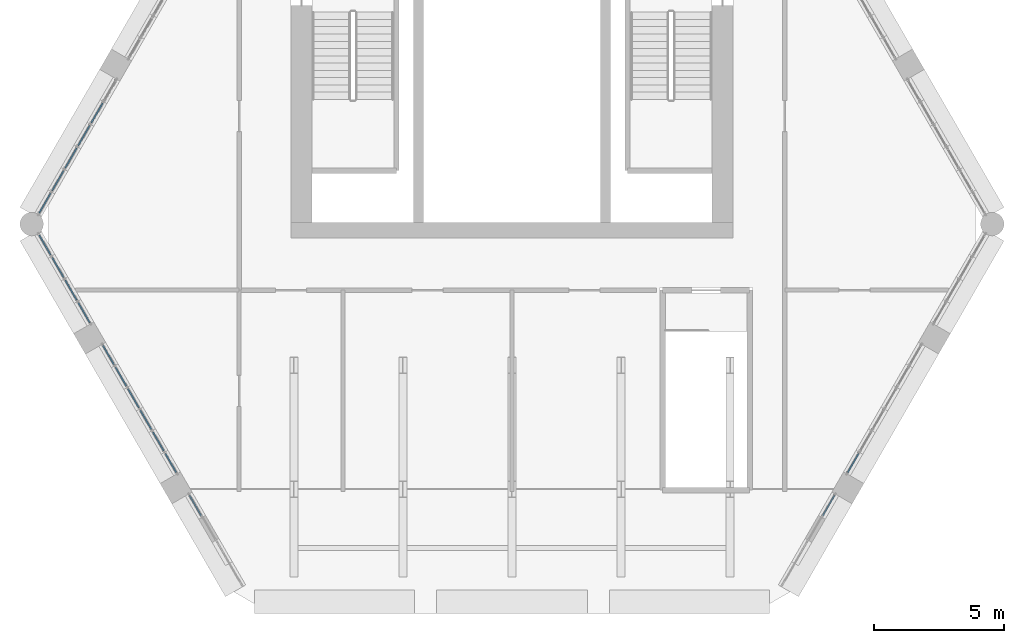
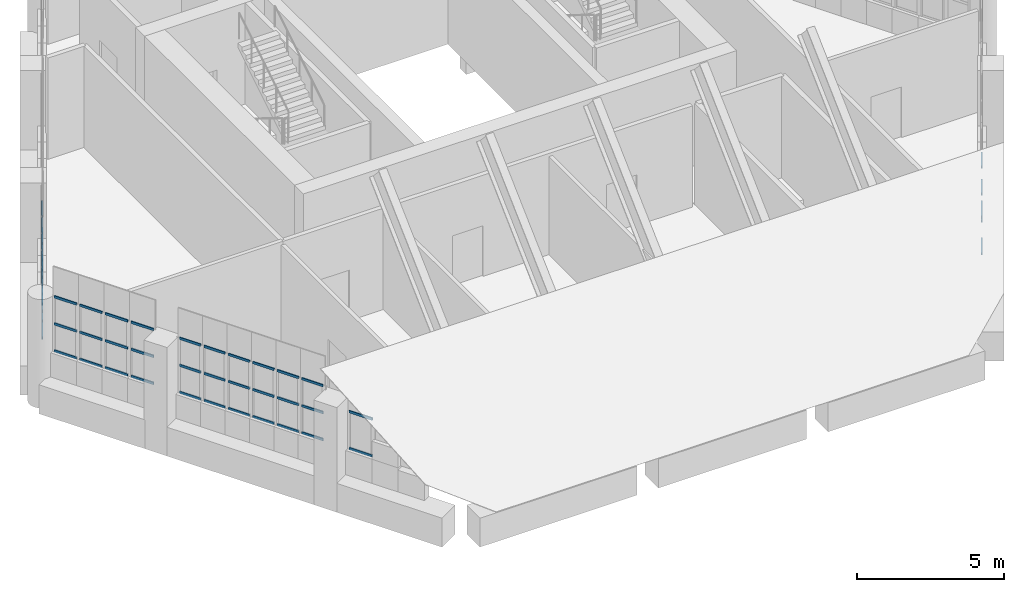
# One storey, part 14 of 25: 52 members, 18 elements without a shape of their own.
"""IFC4 building model written with IfcOpenShell, lengths in metres."""

from ifc_helpers import new_model, si_unit, direction, frame, origin, origin_2d, place, context, subcontext, project, spatial, hollow_rectangle, extrude, material, material_profile, profile_set, type_object, element, aggregate, save


model = new_model("IFC4")

# Units and contexts
model_context = context("Model", 3, precision=1e-05, world=origin(), true_north=direction((0.0, 1.0)))
body_context = subcontext(model_context, "Body", "Model", "MODEL_VIEW")
ifc_project = project(units=[si_unit("LENGTHUNIT", "METRE"), si_unit("AREAUNIT", "SQUARE_METRE"), si_unit("VOLUMEUNIT", "CUBIC_METRE"), si_unit("PLANEANGLEUNIT", "RADIAN"), si_unit("MASSUNIT", "GRAM", prefix="KILO")], contexts=[model_context])

# Site, building, storey
site_placement = place(None, origin())
site = spatial("IfcSite", under=ifc_project, at=site_placement, CompositionType="ELEMENT")
building_placement = place(site_placement, origin())
building = spatial("IfcBuilding", under=site, at=building_placement, Name="Ostrander Bayou Hotel Tower", CompositionType="ELEMENT")
storey_placement = place(building_placement, frame((0.0, 0.0, 275.0)))
storey = spatial("IfcBuildingStorey", under=building, at=storey_placement, Name="L68", CompositionType="ELEMENT", Elevation=275.0)

# Curtain wall, members
ifc_material_1 = material(Name="Aluminium and clear glass", Category="aluminium")
curtain_wall_type = type_object("IfcCurtainWallType", Name="CW-CROWN glazed wall", PredefinedType="NOTDEFINED", material=ifc_material_1)
curtain_wall_1_placement = place(storey_placement, origin())
curtain_wall_1 = element("IfcCurtainWall", 1, at=curtain_wall_1_placement, inside=storey, type_object=curtain_wall_type, Name="CW-CROWN L68:NW-3-2", PredefinedType="NOTDEFINED")
ifc_material_2 = material(Name="Aluminium", Category="aluminium")
ifc_material_profile = material_profile(ifc_material_2, hollow_rectangle(XDim=0.050048828125, YDim=0.10009765625, WallThickness=0.00390625, at=origin_2d()))
ifc_profile_set = profile_set([ifc_material_profile], Name="Aluminium")
member_type = type_object("IfcMemberType", Name="CW-CR transom 50 x 100 mm", PredefinedType="USERDEFINED", material=ifc_profile_set)
member_1_placement = place(storey_placement, frame((-15.75244140625, 3.5029296875, 1.030029296875), z_axis=(-0.500153222552, -0.865936922628, 0.0), x_axis=(0.865936922628, -0.500153222552, 0.0)))
member_1 = element("IfcMember", 2, at=member_1_placement, type_object=member_type, Name="CW-CROWN transom 1.1", ObjectType="TRANSOM", PredefinedType="USERDEFINED", context=body_context, shape_type="SweptSolid", body=[
    extrude(hollow_rectangle(XDim=0.050048828125, YDim=0.10009765625, WallThickness=0.00390625, at=origin_2d()), origin(), (0.0, 0.0, 1.0), 0.883056640625),
])
member_2_placement = place(storey_placement, frame((-15.75244140625, 3.5029296875, 2.14990234375), z_axis=(-0.500153222552, -0.865936922628, 0.0), x_axis=(0.865936922628, -0.500153222552, 0.0)))
member_2 = element("IfcMember", 3, at=member_2_placement, type_object=member_type, Name="CW-CROWN transom 1.2", ObjectType="TRANSOM", PredefinedType="USERDEFINED", context=body_context, shape_type="SweptSolid", body=[
    extrude(hollow_rectangle(XDim=0.050048828125, YDim=0.10009765625, WallThickness=0.00390625, at=origin_2d()), origin(), (0.0, 0.0, 1.0), 0.883056640625),
])
member_3_placement = place(storey_placement, frame((-15.75244140625, 3.5029296875, 3.27001953125), z_axis=(-0.500153222552, -0.865936922628, 0.0), x_axis=(0.865936922628, -0.500153222552, 0.0)))
member_3 = element("IfcMember", 4, at=member_3_placement, type_object=member_type, Name="CW-CROWN transom 1.3", ObjectType="TRANSOM", PredefinedType="USERDEFINED", context=body_context, shape_type="SweptSolid", body=[
    extrude(hollow_rectangle(XDim=0.050048828125, YDim=0.10009765625, WallThickness=0.00390625, at=origin_2d()), origin(), (0.0, 0.0, 1.0), 0.883056640625),
])
aggregate(curtain_wall_1, [member_1, member_2, member_3])

curtain_wall_2_placement = place(storey_placement, origin())
curtain_wall_2 = element("IfcCurtainWall", 5, at=curtain_wall_2_placement, inside=storey, type_object=curtain_wall_type, Name="CW-CROWN L68:NW-3-3", PredefinedType="NOTDEFINED")
member_4_placement = place(storey_placement, frame((-16.25390625, 2.63427734375, 1.030029296875), z_axis=(-0.500153222552, -0.865936922628, 0.0), x_axis=(0.865936922628, -0.500153222552, 0.0)))
member_4 = element("IfcMember", 6, at=member_4_placement, type_object=member_type, Name="CW-CROWN transom 1.1", ObjectType="TRANSOM", PredefinedType="USERDEFINED", context=body_context, shape_type="SweptSolid", body=[
    extrude(hollow_rectangle(XDim=0.050048828125, YDim=0.10009765625, WallThickness=0.00390625, at=origin_2d()), origin(), (0.0, 0.0, 1.0), 0.883056640625),
])
member_5_placement = place(storey_placement, frame((-16.25390625, 2.63427734375, 2.14990234375), z_axis=(-0.500153222552, -0.865936922628, 0.0), x_axis=(0.865936922628, -0.500153222552, 0.0)))
member_5 = element("IfcMember", 7, at=member_5_placement, type_object=member_type, Name="CW-CROWN transom 1.2", ObjectType="TRANSOM", PredefinedType="USERDEFINED", context=body_context, shape_type="SweptSolid", body=[
    extrude(hollow_rectangle(XDim=0.050048828125, YDim=0.10009765625, WallThickness=0.00390625, at=origin_2d()), origin(), (0.0, 0.0, 1.0), 0.883056640625),
])
member_6_placement = place(storey_placement, frame((-16.25390625, 2.63427734375, 3.27001953125), z_axis=(-0.500153222552, -0.865936922628, 0.0), x_axis=(0.865936922628, -0.500153222552, 0.0)))
member_6 = element("IfcMember", 8, at=member_6_placement, type_object=member_type, Name="CW-CROWN transom 1.3", ObjectType="TRANSOM", PredefinedType="USERDEFINED", context=body_context, shape_type="SweptSolid", body=[
    extrude(hollow_rectangle(XDim=0.050048828125, YDim=0.10009765625, WallThickness=0.00390625, at=origin_2d()), origin(), (0.0, 0.0, 1.0), 0.883056640625),
])
aggregate(curtain_wall_2, [member_4, member_5, member_6])

curtain_wall_3_placement = place(storey_placement, origin())
curtain_wall_3 = element("IfcCurtainWall", 9, at=curtain_wall_3_placement, inside=storey, type_object=curtain_wall_type, Name="CW-CROWN L68:NW-3-4", PredefinedType="NOTDEFINED")
member_7_placement = place(storey_placement, frame((-16.755615234375, 1.765625, 1.030029296875), z_axis=(-0.499945861543, -0.866056658381, 0.0), x_axis=(0.866056658381, -0.499945861543, 0.0)))
member_7 = element("IfcMember", 10, at=member_7_placement, type_object=member_type, Name="CW-CROWN transom 1.1", ObjectType="TRANSOM", PredefinedType="USERDEFINED", context=body_context, shape_type="SweptSolid", body=[
    extrude(hollow_rectangle(XDim=0.050048828125, YDim=0.10009765625, WallThickness=0.00390625, at=origin_2d()), origin(), (0.0, 0.0, 1.0), 0.8828125),
])
member_8_placement = place(storey_placement, frame((-16.755615234375, 1.765625, 2.14990234375), z_axis=(-0.499945861543, -0.866056658381, 0.0), x_axis=(0.866056658381, -0.499945861543, 0.0)))
member_8 = element("IfcMember", 11, at=member_8_placement, type_object=member_type, Name="CW-CROWN transom 1.2", ObjectType="TRANSOM", PredefinedType="USERDEFINED", context=body_context, shape_type="SweptSolid", body=[
    extrude(hollow_rectangle(XDim=0.050048828125, YDim=0.10009765625, WallThickness=0.00390625, at=origin_2d()), origin(), (0.0, 0.0, 1.0), 0.8828125),
])
member_9_placement = place(storey_placement, frame((-16.755615234375, 1.765625, 3.27001953125), z_axis=(-0.499945861543, -0.866056658381, 0.0), x_axis=(0.866056658381, -0.499945861543, 0.0)))
member_9 = element("IfcMember", 12, at=member_9_placement, type_object=member_type, Name="CW-CROWN transom 1.3", ObjectType="TRANSOM", PredefinedType="USERDEFINED", context=body_context, shape_type="SweptSolid", body=[
    extrude(hollow_rectangle(XDim=0.050048828125, YDim=0.10009765625, WallThickness=0.00390625, at=origin_2d()), origin(), (0.0, 0.0, 1.0), 0.8828125),
])
aggregate(curtain_wall_3, [member_7, member_8, member_9])

curtain_wall_4_placement = place(storey_placement, origin())
curtain_wall_4 = element("IfcCurtainWall", 13, at=curtain_wall_4_placement, inside=storey, type_object=curtain_wall_type, Name="CW-CROWN L68:NW-3-5", PredefinedType="NOTDEFINED")
member_10_placement = place(storey_placement, frame((-17.257080078125, 0.89697265625, 1.030029296875), z_axis=(-0.499945861543, -0.866056658381, 0.0), x_axis=(0.866056658381, -0.499945861543, 0.0)))
member_10 = element("IfcMember", 14, at=member_10_placement, type_object=member_type, Name="CW-CROWN transom 1.1", ObjectType="TRANSOM", PredefinedType="USERDEFINED", context=body_context, shape_type="SweptSolid", body=[
    extrude(hollow_rectangle(XDim=0.050048828125, YDim=0.10009765625, WallThickness=0.00390625, at=origin_2d()), origin(), (0.0, 0.0, 1.0), 0.8828125),
])
member_11_placement = place(storey_placement, frame((-17.257080078125, 0.89697265625, 2.14990234375), z_axis=(-0.499945861543, -0.866056658381, 0.0), x_axis=(0.866056658381, -0.499945861543, 0.0)))
member_11 = element("IfcMember", 15, at=member_11_placement, type_object=member_type, Name="CW-CROWN transom 1.2", ObjectType="TRANSOM", PredefinedType="USERDEFINED", context=body_context, shape_type="SweptSolid", body=[
    extrude(hollow_rectangle(XDim=0.050048828125, YDim=0.10009765625, WallThickness=0.00390625, at=origin_2d()), origin(), (0.0, 0.0, 1.0), 0.8828125),
])
member_12_placement = place(storey_placement, frame((-17.257080078125, 0.89697265625, 3.27001953125), z_axis=(-0.499945861543, -0.866056658381, 0.0), x_axis=(0.866056658381, -0.499945861543, 0.0)))
member_12 = element("IfcMember", 16, at=member_12_placement, type_object=member_type, Name="CW-CROWN transom 1.3", ObjectType="TRANSOM", PredefinedType="USERDEFINED", context=body_context, shape_type="SweptSolid", body=[
    extrude(hollow_rectangle(XDim=0.050048828125, YDim=0.10009765625, WallThickness=0.00390625, at=origin_2d()), origin(), (0.0, 0.0, 1.0), 0.8828125),
])
aggregate(curtain_wall_4, [member_10, member_11, member_12])

curtain_wall_5_placement = place(storey_placement, origin())
curtain_wall_5 = element("IfcCurtainWall", 17, at=curtain_wall_5_placement, inside=storey, type_object=curtain_wall_type, Name="CW-CROWN L68:NW-3-6", PredefinedType="NOTDEFINED")
member_13_placement = place(storey_placement, frame((-17.758544921875, 0.0283203125, 1.030029296875), z_axis=(-0.500153222552, -0.865936922628, 0.0), x_axis=(0.865936922628, -0.500153222552, 0.0)))
member_13 = element("IfcMember", 18, at=member_13_placement, type_object=member_type, Name="CW-CROWN transom 1.1", ObjectType="TRANSOM", PredefinedType="USERDEFINED", context=body_context, shape_type="SweptSolid", body=[
    extrude(hollow_rectangle(XDim=0.050048828125, YDim=0.10009765625, WallThickness=0.00390625, at=origin_2d()), origin(), (0.0, 0.0, 1.0), 0.883056640625),
])
member_14_placement = place(storey_placement, frame((-17.758544921875, 0.0283203125, 2.14990234375), z_axis=(-0.500153222552, -0.865936922628, 0.0), x_axis=(0.865936922628, -0.500153222552, 0.0)))
member_14 = element("IfcMember", 19, at=member_14_placement, type_object=member_type, Name="CW-CROWN transom 1.2", ObjectType="TRANSOM", PredefinedType="USERDEFINED", context=body_context, shape_type="SweptSolid", body=[
    extrude(hollow_rectangle(XDim=0.050048828125, YDim=0.10009765625, WallThickness=0.00390625, at=origin_2d()), origin(), (0.0, 0.0, 1.0), 0.883056640625),
])
member_15_placement = place(storey_placement, frame((-17.758544921875, 0.0283203125, 3.27001953125), z_axis=(-0.500153222552, -0.865936922628, 0.0), x_axis=(0.865936922628, -0.500153222552, 0.0)))
member_15 = element("IfcMember", 20, at=member_15_placement, type_object=member_type, Name="CW-CROWN transom 1.3", ObjectType="TRANSOM", PredefinedType="USERDEFINED", context=body_context, shape_type="SweptSolid", body=[
    extrude(hollow_rectangle(XDim=0.050048828125, YDim=0.10009765625, WallThickness=0.00390625, at=origin_2d()), origin(), (0.0, 0.0, 1.0), 0.883056640625),
])
aggregate(curtain_wall_5, [member_13, member_14, member_15])

curtain_wall_6_placement = place(storey_placement, origin())
curtain_wall_6 = element("IfcCurtainWall", 21, at=curtain_wall_6_placement, inside=storey, type_object=curtain_wall_type, Name="CW-CROWN L68:SW-1-1", PredefinedType="NOTDEFINED")
member_16_placement = place(storey_placement, frame((-18.199951171875, -1.57666015625, 1.030029296875), z_axis=(0.500001430823, -0.866024577697, 0.0), x_axis=(0.866024577697, 0.500001430823, 0.0)))
member_16 = element("IfcMember", 22, at=member_16_placement, type_object=member_type, Name="CW-CROWN transom 1.1", ObjectType="TRANSOM", PredefinedType="USERDEFINED", context=body_context, shape_type="SweptSolid", body=[
    extrude(hollow_rectangle(XDim=0.050048828125, YDim=0.10009765625, WallThickness=0.00390625, at=origin_2d()), origin(), (0.0, 0.0, 1.0), 0.8837890625),
])
member_17_placement = place(storey_placement, frame((-18.199951171875, -1.57666015625, 2.14990234375), z_axis=(0.500001430823, -0.866024577697, 0.0), x_axis=(0.866024577697, 0.500001430823, 0.0)))
member_17 = element("IfcMember", 23, at=member_17_placement, type_object=member_type, Name="CW-CROWN transom 1.2", ObjectType="TRANSOM", PredefinedType="USERDEFINED", context=body_context, shape_type="SweptSolid", body=[
    extrude(hollow_rectangle(XDim=0.050048828125, YDim=0.10009765625, WallThickness=0.00390625, at=origin_2d()), origin(), (0.0, 0.0, 1.0), 0.8837890625),
])
member_18_placement = place(storey_placement, frame((-18.199951171875, -1.57666015625, 3.27001953125), z_axis=(0.500001430823, -0.866024577697, 0.0), x_axis=(0.866024577697, 0.500001430823, 0.0)))
member_18 = element("IfcMember", 24, at=member_18_placement, type_object=member_type, Name="CW-CROWN transom 1.3", ObjectType="TRANSOM", PredefinedType="USERDEFINED", context=body_context, shape_type="SweptSolid", body=[
    extrude(hollow_rectangle(XDim=0.050048828125, YDim=0.10009765625, WallThickness=0.00390625, at=origin_2d()), origin(), (0.0, 0.0, 1.0), 0.8837890625),
])
aggregate(curtain_wall_6, [member_16, member_17, member_18])

curtain_wall_7_placement = place(storey_placement, origin())
curtain_wall_7 = element("IfcCurtainWall", 25, at=curtain_wall_7_placement, inside=storey, type_object=curtain_wall_type, Name="CW-CROWN L68:SW-1-2", PredefinedType="NOTDEFINED")
member_19_placement = place(storey_placement, frame((-17.697998046875, -2.446044921875, 1.030029296875), z_axis=(0.500001430823, -0.866024577697, 0.0), x_axis=(0.866024577697, 0.500001430823, 0.0)))
member_19 = element("IfcMember", 26, at=member_19_placement, type_object=member_type, Name="CW-CROWN transom 1.1", ObjectType="TRANSOM", PredefinedType="USERDEFINED", context=body_context, shape_type="SweptSolid", body=[
    extrude(hollow_rectangle(XDim=0.050048828125, YDim=0.10009765625, WallThickness=0.00390625, at=origin_2d()), origin(), (0.0, 0.0, 1.0), 0.8837890625),
])
member_20_placement = place(storey_placement, frame((-17.697998046875, -2.446044921875, 2.14990234375), z_axis=(0.500001430823, -0.866024577697, 0.0), x_axis=(0.866024577697, 0.500001430823, 0.0)))
member_20 = element("IfcMember", 27, at=member_20_placement, type_object=member_type, Name="CW-CROWN transom 1.2", ObjectType="TRANSOM", PredefinedType="USERDEFINED", context=body_context, shape_type="SweptSolid", body=[
    extrude(hollow_rectangle(XDim=0.050048828125, YDim=0.10009765625, WallThickness=0.00390625, at=origin_2d()), origin(), (0.0, 0.0, 1.0), 0.8837890625),
])
member_21_placement = place(storey_placement, frame((-17.697998046875, -2.446044921875, 3.27001953125), z_axis=(0.500001430823, -0.866024577697, 0.0), x_axis=(0.866024577697, 0.500001430823, 0.0)))
member_21 = element("IfcMember", 28, at=member_21_placement, type_object=member_type, Name="CW-CROWN transom 1.3", ObjectType="TRANSOM", PredefinedType="USERDEFINED", context=body_context, shape_type="SweptSolid", body=[
    extrude(hollow_rectangle(XDim=0.050048828125, YDim=0.10009765625, WallThickness=0.00390625, at=origin_2d()), origin(), (0.0, 0.0, 1.0), 0.8837890625),
])
aggregate(curtain_wall_7, [member_19, member_20, member_21])

curtain_wall_8_placement = place(storey_placement, origin())
curtain_wall_8 = element("IfcCurtainWall", 29, at=curtain_wall_8_placement, inside=storey, type_object=curtain_wall_type, Name="CW-CROWN L68:SW-1-3", PredefinedType="NOTDEFINED")
member_22_placement = place(storey_placement, frame((-17.1962890625, -3.315185546875, 1.030029296875), z_axis=(0.499881837328, -0.866093614288, 0.0), x_axis=(0.866093614288, 0.499881837328, 0.0)))
member_22 = element("IfcMember", 30, at=member_22_placement, type_object=member_type, Name="CW-CROWN transom 1.1", ObjectType="TRANSOM", PredefinedType="USERDEFINED", context=body_context, shape_type="SweptSolid", body=[
    extrude(hollow_rectangle(XDim=0.050048828125, YDim=0.10009765625, WallThickness=0.00390625, at=origin_2d()), origin(), (0.0, 0.0, 1.0), 0.884033203125),
])
member_23_placement = place(storey_placement, frame((-17.1962890625, -3.315185546875, 2.14990234375), z_axis=(0.499881837328, -0.866093614288, 0.0), x_axis=(0.866093614288, 0.499881837328, 0.0)))
member_23 = element("IfcMember", 31, at=member_23_placement, type_object=member_type, Name="CW-CROWN transom 1.2", ObjectType="TRANSOM", PredefinedType="USERDEFINED", context=body_context, shape_type="SweptSolid", body=[
    extrude(hollow_rectangle(XDim=0.050048828125, YDim=0.10009765625, WallThickness=0.00390625, at=origin_2d()), origin(), (0.0, 0.0, 1.0), 0.884033203125),
])
member_24_placement = place(storey_placement, frame((-17.1962890625, -3.315185546875, 3.27001953125), z_axis=(0.499881837328, -0.866093614288, 0.0), x_axis=(0.866093614288, 0.499881837328, 0.0)))
member_24 = element("IfcMember", 32, at=member_24_placement, type_object=member_type, Name="CW-CROWN transom 1.3", ObjectType="TRANSOM", PredefinedType="USERDEFINED", context=body_context, shape_type="SweptSolid", body=[
    extrude(hollow_rectangle(XDim=0.050048828125, YDim=0.10009765625, WallThickness=0.00390625, at=origin_2d()), origin(), (0.0, 0.0, 1.0), 0.884033203125),
])
aggregate(curtain_wall_8, [member_22, member_23, member_24])

curtain_wall_9_placement = place(storey_placement, origin())
curtain_wall_9 = element("IfcCurtainWall", 33, at=curtain_wall_9_placement, inside=storey, type_object=curtain_wall_type, Name="CW-CROWN L68:SW-1-4", PredefinedType="NOTDEFINED")
member_25_placement = place(storey_placement, frame((-16.6943359375, -4.1845703125, 1.030029296875), z_axis=(0.500001430823, -0.866024577697, 0.0), x_axis=(0.866024577697, 0.500001430823, 0.0)))
member_25 = element("IfcMember", 34, at=member_25_placement, type_object=member_type, Name="CW-CROWN transom 1.1", ObjectType="TRANSOM", PredefinedType="USERDEFINED", context=body_context, shape_type="SweptSolid", body=[
    extrude(hollow_rectangle(XDim=0.050048828125, YDim=0.10009765625, WallThickness=0.00390625, at=origin_2d()), origin(), (0.0, 0.0, 1.0), 0.8837890625),
])
member_26_placement = place(storey_placement, frame((-16.6943359375, -4.1845703125, 2.14990234375), z_axis=(0.500001430823, -0.866024577697, 0.0), x_axis=(0.866024577697, 0.500001430823, 0.0)))
member_26 = element("IfcMember", 35, at=member_26_placement, type_object=member_type, Name="CW-CROWN transom 1.2", ObjectType="TRANSOM", PredefinedType="USERDEFINED", context=body_context, shape_type="SweptSolid", body=[
    extrude(hollow_rectangle(XDim=0.050048828125, YDim=0.10009765625, WallThickness=0.00390625, at=origin_2d()), origin(), (0.0, 0.0, 1.0), 0.8837890625),
])
member_27_placement = place(storey_placement, frame((-16.6943359375, -4.1845703125, 3.27001953125), z_axis=(0.500001430823, -0.866024577697, 0.0), x_axis=(0.866024577697, 0.500001430823, 0.0)))
member_27 = element("IfcMember", 36, at=member_27_placement, type_object=member_type, Name="CW-CROWN transom 1.3", ObjectType="TRANSOM", PredefinedType="USERDEFINED", context=body_context, shape_type="SweptSolid", body=[
    extrude(hollow_rectangle(XDim=0.050048828125, YDim=0.10009765625, WallThickness=0.00390625, at=origin_2d()), origin(), (0.0, 0.0, 1.0), 0.8837890625),
])
aggregate(curtain_wall_9, [member_25, member_26, member_27])

curtain_wall_10_placement = place(storey_placement, origin())
curtain_wall_10 = element("IfcCurtainWall", 37, at=curtain_wall_10_placement, inside=storey, type_object=curtain_wall_type, Name="CW-CROWN L68:SW-2-1", PredefinedType="NOTDEFINED")
member_28_placement = place(storey_placement, frame((-15.742431640625, -5.833251953125, 1.030029296875), z_axis=(0.500016035621, -0.866016145416, 0.0), x_axis=(0.866016145416, 0.500016035621, 0.0)))
member_28 = element("IfcMember", 38, at=member_28_placement, type_object=member_type, Name="CW-CROWN transom 1.1", ObjectType="TRANSOM", PredefinedType="USERDEFINED", context=body_context, shape_type="SweptSolid", body=[
    extrude(hollow_rectangle(XDim=0.050048828125, YDim=0.10009765625, WallThickness=0.00390625, at=origin_2d()), origin(), (0.0, 0.0, 1.0), 0.83984375),
])
member_29_placement = place(storey_placement, frame((-15.742431640625, -5.833251953125, 2.14990234375), z_axis=(0.500016035621, -0.866016145416, 0.0), x_axis=(0.866016145416, 0.500016035621, 0.0)))
member_29 = element("IfcMember", 39, at=member_29_placement, type_object=member_type, Name="CW-CROWN transom 1.2", ObjectType="TRANSOM", PredefinedType="USERDEFINED", context=body_context, shape_type="SweptSolid", body=[
    extrude(hollow_rectangle(XDim=0.050048828125, YDim=0.10009765625, WallThickness=0.00390625, at=origin_2d()), origin(), (0.0, 0.0, 1.0), 0.83984375),
])
member_30_placement = place(storey_placement, frame((-15.742431640625, -5.833251953125, 3.27001953125), z_axis=(0.500016035621, -0.866016145416, 0.0), x_axis=(0.866016145416, 0.500016035621, 0.0)))
member_30 = element("IfcMember", 40, at=member_30_placement, type_object=member_type, Name="CW-CROWN transom 1.3", ObjectType="TRANSOM", PredefinedType="USERDEFINED", context=body_context, shape_type="SweptSolid", body=[
    extrude(hollow_rectangle(XDim=0.050048828125, YDim=0.10009765625, WallThickness=0.00390625, at=origin_2d()), origin(), (0.0, 0.0, 1.0), 0.83984375),
])
aggregate(curtain_wall_10, [member_28, member_29, member_30])

curtain_wall_11_placement = place(storey_placement, origin())
curtain_wall_11 = element("IfcCurtainWall", 41, at=curtain_wall_11_placement, inside=storey, type_object=curtain_wall_type, Name="CW-CROWN L68:SW-2-2", PredefinedType="NOTDEFINED")
member_31_placement = place(storey_placement, frame((-15.262451171875, -6.66455078125, 1.030029296875), z_axis=(0.500016035621, -0.866016145416, 0.0), x_axis=(0.866016145416, 0.500016035621, 0.0)))
member_31 = element("IfcMember", 42, at=member_31_placement, type_object=member_type, Name="CW-CROWN transom 1.1", ObjectType="TRANSOM", PredefinedType="USERDEFINED", context=body_context, shape_type="SweptSolid", body=[
    extrude(hollow_rectangle(XDim=0.050048828125, YDim=0.10009765625, WallThickness=0.00390625, at=origin_2d()), origin(), (0.0, 0.0, 1.0), 0.83984375),
])
member_32_placement = place(storey_placement, frame((-15.262451171875, -6.66455078125, 2.14990234375), z_axis=(0.500016035621, -0.866016145416, 0.0), x_axis=(0.866016145416, 0.500016035621, 0.0)))
member_32 = element("IfcMember", 43, at=member_32_placement, type_object=member_type, Name="CW-CROWN transom 1.2", ObjectType="TRANSOM", PredefinedType="USERDEFINED", context=body_context, shape_type="SweptSolid", body=[
    extrude(hollow_rectangle(XDim=0.050048828125, YDim=0.10009765625, WallThickness=0.00390625, at=origin_2d()), origin(), (0.0, 0.0, 1.0), 0.83984375),
])
member_33_placement = place(storey_placement, frame((-15.262451171875, -6.66455078125, 3.27001953125), z_axis=(0.500016035621, -0.866016145416, 0.0), x_axis=(0.866016145416, 0.500016035621, 0.0)))
member_33 = element("IfcMember", 44, at=member_33_placement, type_object=member_type, Name="CW-CROWN transom 1.3", ObjectType="TRANSOM", PredefinedType="USERDEFINED", context=body_context, shape_type="SweptSolid", body=[
    extrude(hollow_rectangle(XDim=0.050048828125, YDim=0.10009765625, WallThickness=0.00390625, at=origin_2d()), origin(), (0.0, 0.0, 1.0), 0.83984375),
])
aggregate(curtain_wall_11, [member_31, member_32, member_33])

curtain_wall_12_placement = place(storey_placement, origin())
curtain_wall_12 = element("IfcCurtainWall", 45, at=curtain_wall_12_placement, inside=storey, type_object=curtain_wall_type, Name="CW-CROWN L68:SW-2-3", PredefinedType="NOTDEFINED")
member_34_placement = place(storey_placement, frame((-14.78271484375, -7.495849609375, 1.030029296875), z_axis=(0.500016035621, -0.866016145416, 0.0), x_axis=(0.866016145416, 0.500016035621, 0.0)))
member_34 = element("IfcMember", 46, at=member_34_placement, type_object=member_type, Name="CW-CROWN transom 1.1", ObjectType="TRANSOM", PredefinedType="USERDEFINED", context=body_context, shape_type="SweptSolid", body=[
    extrude(hollow_rectangle(XDim=0.050048828125, YDim=0.10009765625, WallThickness=0.00390625, at=origin_2d()), origin(), (0.0, 0.0, 1.0), 0.83984375),
])
member_35_placement = place(storey_placement, frame((-14.78271484375, -7.495849609375, 2.14990234375), z_axis=(0.500016035621, -0.866016145416, 0.0), x_axis=(0.866016145416, 0.500016035621, 0.0)))
member_35 = element("IfcMember", 47, at=member_35_placement, type_object=member_type, Name="CW-CROWN transom 1.2", ObjectType="TRANSOM", PredefinedType="USERDEFINED", context=body_context, shape_type="SweptSolid", body=[
    extrude(hollow_rectangle(XDim=0.050048828125, YDim=0.10009765625, WallThickness=0.00390625, at=origin_2d()), origin(), (0.0, 0.0, 1.0), 0.83984375),
])
member_36_placement = place(storey_placement, frame((-14.78271484375, -7.495849609375, 3.27001953125), z_axis=(0.500016035621, -0.866016145416, 0.0), x_axis=(0.866016145416, 0.500016035621, 0.0)))
member_36 = element("IfcMember", 48, at=member_36_placement, type_object=member_type, Name="CW-CROWN transom 1.3", ObjectType="TRANSOM", PredefinedType="USERDEFINED", context=body_context, shape_type="SweptSolid", body=[
    extrude(hollow_rectangle(XDim=0.050048828125, YDim=0.10009765625, WallThickness=0.00390625, at=origin_2d()), origin(), (0.0, 0.0, 1.0), 0.83984375),
])
aggregate(curtain_wall_12, [member_34, member_35, member_36])

curtain_wall_13_placement = place(storey_placement, origin())
curtain_wall_13 = element("IfcCurtainWall", 49, at=curtain_wall_13_placement, inside=storey, type_object=curtain_wall_type, Name="CW-CROWN L68:SW-2-4", PredefinedType="NOTDEFINED")
member_37_placement = place(storey_placement, frame((-14.302734375, -8.326904296875, 1.030029296875), z_axis=(0.500016035621, -0.866016145416, 0.0), x_axis=(0.866016145416, 0.500016035621, 0.0)))
member_37 = element("IfcMember", 50, at=member_37_placement, type_object=member_type, Name="CW-CROWN transom 1.1", ObjectType="TRANSOM", PredefinedType="USERDEFINED", context=body_context, shape_type="SweptSolid", body=[
    extrude(hollow_rectangle(XDim=0.050048828125, YDim=0.10009765625, WallThickness=0.00390625, at=origin_2d()), origin(), (0.0, 0.0, 1.0), 0.83984375),
])
member_38_placement = place(storey_placement, frame((-14.302734375, -8.326904296875, 2.14990234375), z_axis=(0.500016035621, -0.866016145416, 0.0), x_axis=(0.866016145416, 0.500016035621, 0.0)))
member_38 = element("IfcMember", 51, at=member_38_placement, type_object=member_type, Name="CW-CROWN transom 1.2", ObjectType="TRANSOM", PredefinedType="USERDEFINED", context=body_context, shape_type="SweptSolid", body=[
    extrude(hollow_rectangle(XDim=0.050048828125, YDim=0.10009765625, WallThickness=0.00390625, at=origin_2d()), origin(), (0.0, 0.0, 1.0), 0.83984375),
])
member_39_placement = place(storey_placement, frame((-14.302734375, -8.326904296875, 3.27001953125), z_axis=(0.500016035621, -0.866016145416, 0.0), x_axis=(0.866016145416, 0.500016035621, 0.0)))
member_39 = element("IfcMember", 52, at=member_39_placement, type_object=member_type, Name="CW-CROWN transom 1.3", ObjectType="TRANSOM", PredefinedType="USERDEFINED", context=body_context, shape_type="SweptSolid", body=[
    extrude(hollow_rectangle(XDim=0.050048828125, YDim=0.10009765625, WallThickness=0.00390625, at=origin_2d()), origin(), (0.0, 0.0, 1.0), 0.83984375),
])
aggregate(curtain_wall_13, [member_37, member_38, member_39])

curtain_wall_14_placement = place(storey_placement, origin())
curtain_wall_14 = element("IfcCurtainWall", 53, at=curtain_wall_14_placement, inside=storey, type_object=curtain_wall_type, Name="CW-CROWN L68:SW-2-5", PredefinedType="NOTDEFINED")
member_40_placement = place(storey_placement, frame((-13.82275390625, -9.158203125, 1.030029296875), z_axis=(0.500016035621, -0.866016145416, 0.0), x_axis=(0.866016145416, 0.500016035621, 0.0)))
member_40 = element("IfcMember", 54, at=member_40_placement, type_object=member_type, Name="CW-CROWN transom 1.1", ObjectType="TRANSOM", PredefinedType="USERDEFINED", context=body_context, shape_type="SweptSolid", body=[
    extrude(hollow_rectangle(XDim=0.050048828125, YDim=0.10009765625, WallThickness=0.00390625, at=origin_2d()), origin(), (0.0, 0.0, 1.0), 0.83984375),
])
member_41_placement = place(storey_placement, frame((-13.82275390625, -9.158203125, 2.14990234375), z_axis=(0.500016035621, -0.866016145416, 0.0), x_axis=(0.866016145416, 0.500016035621, 0.0)))
member_41 = element("IfcMember", 55, at=member_41_placement, type_object=member_type, Name="CW-CROWN transom 1.2", ObjectType="TRANSOM", PredefinedType="USERDEFINED", context=body_context, shape_type="SweptSolid", body=[
    extrude(hollow_rectangle(XDim=0.050048828125, YDim=0.10009765625, WallThickness=0.00390625, at=origin_2d()), origin(), (0.0, 0.0, 1.0), 0.83984375),
])
member_42_placement = place(storey_placement, frame((-13.82275390625, -9.158203125, 3.27001953125), z_axis=(0.500016035621, -0.866016145416, 0.0), x_axis=(0.866016145416, 0.500016035621, 0.0)))
member_42 = element("IfcMember", 56, at=member_42_placement, type_object=member_type, Name="CW-CROWN transom 1.3", ObjectType="TRANSOM", PredefinedType="USERDEFINED", context=body_context, shape_type="SweptSolid", body=[
    extrude(hollow_rectangle(XDim=0.050048828125, YDim=0.10009765625, WallThickness=0.00390625, at=origin_2d()), origin(), (0.0, 0.0, 1.0), 0.83984375),
])
aggregate(curtain_wall_14, [member_40, member_41, member_42])

curtain_wall_15_placement = place(storey_placement, origin())
curtain_wall_15 = element("IfcCurtainWall", 57, at=curtain_wall_15_placement, inside=storey, type_object=curtain_wall_type, Name="CW-CROWN L68:SW-2-6", PredefinedType="NOTDEFINED")
member_43_placement = place(storey_placement, frame((-13.343017578125, -9.9892578125, 1.030029296875), z_axis=(0.500016035621, -0.866016145416, 0.0), x_axis=(0.866016145416, 0.500016035621, 0.0)))
member_43 = element("IfcMember", 58, at=member_43_placement, type_object=member_type, Name="CW-CROWN transom 1.1", ObjectType="TRANSOM", PredefinedType="USERDEFINED", context=body_context, shape_type="SweptSolid", body=[
    extrude(hollow_rectangle(XDim=0.050048828125, YDim=0.10009765625, WallThickness=0.00390625, at=origin_2d()), origin(), (0.0, 0.0, 1.0), 0.83984375),
])
member_44_placement = place(storey_placement, frame((-13.343017578125, -9.9892578125, 2.14990234375), z_axis=(0.500016035621, -0.866016145416, 0.0), x_axis=(0.866016145416, 0.500016035621, 0.0)))
member_44 = element("IfcMember", 59, at=member_44_placement, type_object=member_type, Name="CW-CROWN transom 1.2", ObjectType="TRANSOM", PredefinedType="USERDEFINED", context=body_context, shape_type="SweptSolid", body=[
    extrude(hollow_rectangle(XDim=0.050048828125, YDim=0.10009765625, WallThickness=0.00390625, at=origin_2d()), origin(), (0.0, 0.0, 1.0), 0.83984375),
])
member_45_placement = place(storey_placement, frame((-13.343017578125, -9.9892578125, 3.27001953125), z_axis=(0.500016035621, -0.866016145416, 0.0), x_axis=(0.866016145416, 0.500016035621, 0.0)))
member_45 = element("IfcMember", 60, at=member_45_placement, type_object=member_type, Name="CW-CROWN transom 1.3", ObjectType="TRANSOM", PredefinedType="USERDEFINED", context=body_context, shape_type="SweptSolid", body=[
    extrude(hollow_rectangle(XDim=0.050048828125, YDim=0.10009765625, WallThickness=0.00390625, at=origin_2d()), origin(), (0.0, 0.0, 1.0), 0.83984375),
])
aggregate(curtain_wall_15, [member_43, member_44, member_45])

curtain_wall_16_placement = place(storey_placement, origin())
curtain_wall_16 = element("IfcCurtainWall", 61, at=curtain_wall_16_placement, inside=storey, type_object=curtain_wall_type, Name="CW-CROWN L68:SW-3-1", PredefinedType="NOTDEFINED")
member_46_placement = place(storey_placement, frame((-12.4130859375, -11.599853515625, 1.030029296875), z_axis=(0.499969718208, -0.866042886279, 0.0), x_axis=(0.866042886279, 0.499969718208, 0.0)))
member_46 = element("IfcMember", 62, at=member_46_placement, type_object=member_type, Name="CW-CROWN transom 1.1", ObjectType="TRANSOM", PredefinedType="USERDEFINED", context=body_context, shape_type="SweptSolid", body=[
    extrude(hollow_rectangle(XDim=0.050048828125, YDim=0.10009765625, WallThickness=0.00390625, at=origin_2d()), origin(), (0.0, 0.0, 1.0), 0.91162109375),
])
member_47_placement = place(storey_placement, frame((-12.4130859375, -11.599853515625, 2.556884765625), z_axis=(0.499969718208, -0.866042886279, 0.0), x_axis=(0.866042886279, 0.499969718208, 0.0)))
member_47 = element("IfcMember", 63, at=member_47_placement, type_object=member_type, Name="CW-CROWN transom 1.2", ObjectType="TRANSOM", PredefinedType="USERDEFINED", context=body_context, shape_type="SweptSolid", body=[
    extrude(hollow_rectangle(XDim=0.050048828125, YDim=0.10009765625, WallThickness=0.00390625, at=origin_2d()), origin(), (0.0, 0.0, 1.0), 0.91162109375),
])
aggregate(curtain_wall_16, [member_46, member_47])

curtain_wall_17_placement = place(storey_placement, origin())
curtain_wall_17 = element("IfcCurtainWall", 64, at=curtain_wall_17_placement, inside=storey, type_object=curtain_wall_type, Name="CW-CROWN L68:SE-1-4", PredefinedType="NOTDEFINED")
member_48_placement = place(storey_placement, frame((11.957275390625, -12.389404296875, 1.030029296875), z_axis=(0.499969718208, 0.866042886279, 0.0), x_axis=(-0.866042886279, 0.499969718208, 0.0)))
member_48 = element("IfcMember", 65, at=member_48_placement, type_object=member_type, Name="CW-CROWN transom 1.1", ObjectType="TRANSOM", PredefinedType="USERDEFINED", context=body_context, shape_type="SweptSolid", body=[
    extrude(hollow_rectangle(XDim=0.050048828125, YDim=0.10009765625, WallThickness=0.00390625, at=origin_2d()), origin(), (0.0, 0.0, 1.0), 0.91162109375),
])
member_49_placement = place(storey_placement, frame((11.957275390625, -12.389404296875, 2.556884765625), z_axis=(0.499969718208, 0.866042886279, 0.0), x_axis=(-0.866042886279, 0.499969718208, 0.0)))
member_49 = element("IfcMember", 66, at=member_49_placement, type_object=member_type, Name="CW-CROWN transom 1.2", ObjectType="TRANSOM", PredefinedType="USERDEFINED", context=body_context, shape_type="SweptSolid", body=[
    extrude(hollow_rectangle(XDim=0.050048828125, YDim=0.10009765625, WallThickness=0.00390625, at=origin_2d()), origin(), (0.0, 0.0, 1.0), 0.91162109375),
])
aggregate(curtain_wall_17, [member_48, member_49])

curtain_wall_18_placement = place(storey_placement, origin())
curtain_wall_18 = element("IfcCurtainWall", 67, at=curtain_wall_18_placement, inside=storey, type_object=curtain_wall_type, Name="CW-CROWN L68:SE-2-1", PredefinedType="NOTDEFINED")
member_50_placement = place(storey_placement, frame((12.923095703125, -10.716552734375, 1.030029296875), z_axis=(0.500016035621, 0.866016145416, 0.0), x_axis=(-0.866016145416, 0.500016035621, 0.0)))
member_50 = element("IfcMember", 68, at=member_50_placement, type_object=member_type, Name="CW-CROWN transom 1.1", ObjectType="TRANSOM", PredefinedType="USERDEFINED", context=body_context, shape_type="SweptSolid", body=[
    extrude(hollow_rectangle(XDim=0.050048828125, YDim=0.10009765625, WallThickness=0.00390625, at=origin_2d()), origin(), (0.0, 0.0, 1.0), 0.83984375),
])
member_51_placement = place(storey_placement, frame((12.923095703125, -10.716552734375, 2.14990234375), z_axis=(0.500016035621, 0.866016145416, 0.0), x_axis=(-0.866016145416, 0.500016035621, 0.0)))
member_51 = element("IfcMember", 69, at=member_51_placement, type_object=member_type, Name="CW-CROWN transom 1.2", ObjectType="TRANSOM", PredefinedType="USERDEFINED", context=body_context, shape_type="SweptSolid", body=[
    extrude(hollow_rectangle(XDim=0.050048828125, YDim=0.10009765625, WallThickness=0.00390625, at=origin_2d()), origin(), (0.0, 0.0, 1.0), 0.83984375),
])
member_52_placement = place(storey_placement, frame((12.923095703125, -10.716552734375, 3.27001953125), z_axis=(0.500016035621, 0.866016145416, 0.0), x_axis=(-0.866016145416, 0.500016035621, 0.0)))
member_52 = element("IfcMember", 70, at=member_52_placement, type_object=member_type, Name="CW-CROWN transom 1.3", ObjectType="TRANSOM", PredefinedType="USERDEFINED", context=body_context, shape_type="SweptSolid", body=[
    extrude(hollow_rectangle(XDim=0.050048828125, YDim=0.10009765625, WallThickness=0.00390625, at=origin_2d()), origin(), (0.0, 0.0, 1.0), 0.83984375),
])
aggregate(curtain_wall_18, [member_50, member_51, member_52])

save(model, "model.ifc")
